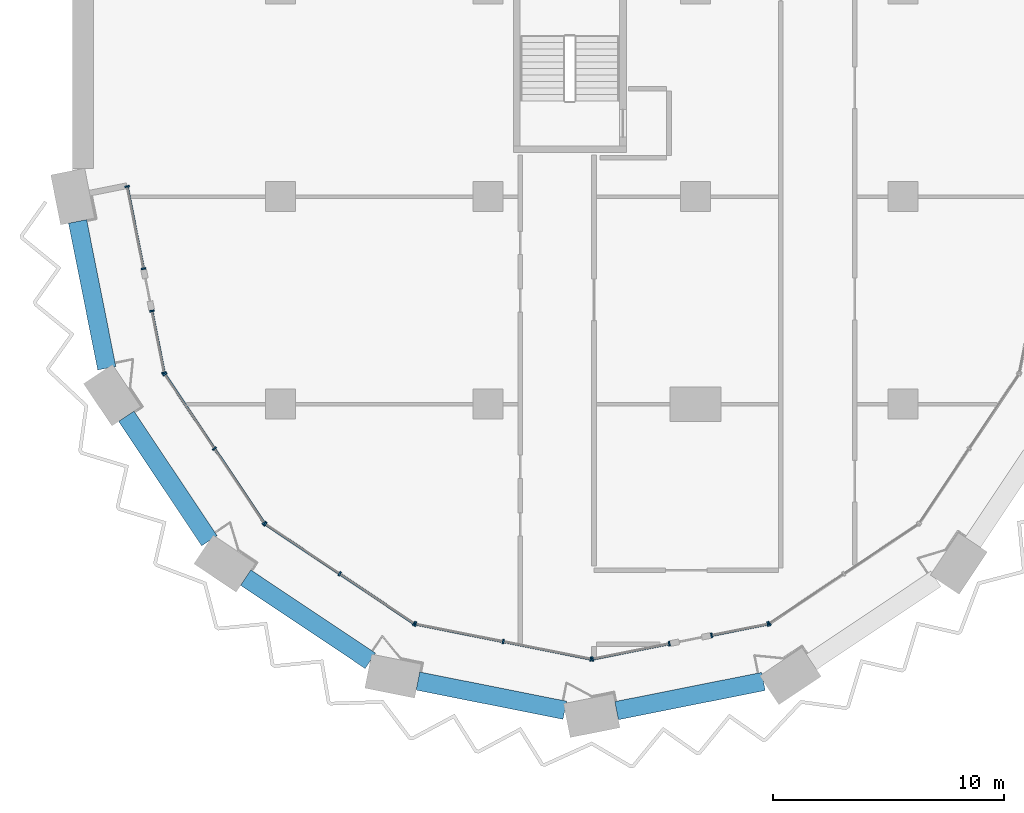
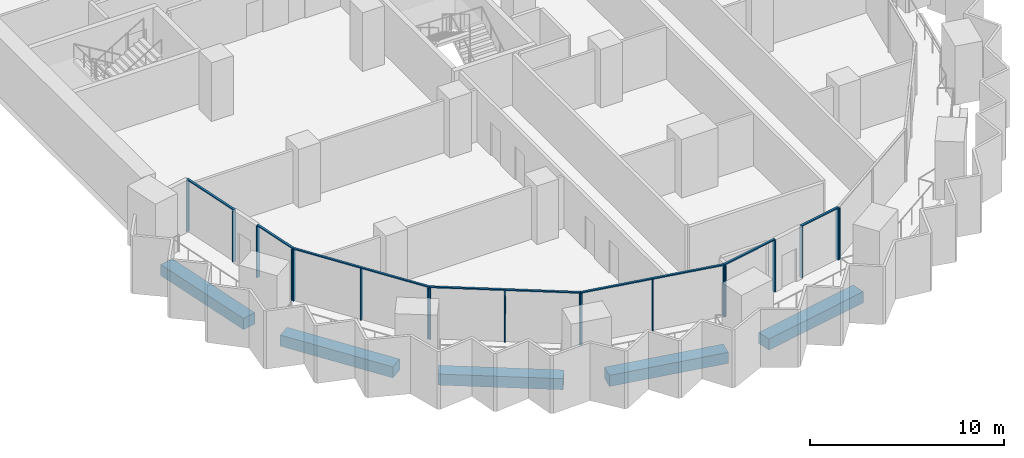
# One storey, part 2 of 22: 25 members, 5 beams, 8 elements without a shape of their own.
"""IFC4 building model written with IfcOpenShell, lengths in metres."""

from ifc_helpers import new_model, si_unit, direction, frame, origin, origin_2d, place, context, subcontext, project, spatial, rectangle, extrude, material, material_profile, profile_set, type_object, element, aggregate, save


model = new_model("IFC4")

# Units and contexts
model_context = context("Model", 3, precision=1e-05, world=origin(), true_north=direction((0.0, 1.0)))
body_context = subcontext(model_context, "Body", "Model", "MODEL_VIEW")
ifc_project = project(units=[si_unit("LENGTHUNIT", "METRE"), si_unit("AREAUNIT", "SQUARE_METRE"), si_unit("VOLUMEUNIT", "CUBIC_METRE"), si_unit("PLANEANGLEUNIT", "RADIAN"), si_unit("MASSUNIT", "GRAM", prefix="KILO")], contexts=[model_context])

# Site, building, storey
site_placement = place(None, origin())
site = spatial("IfcSite", under=ifc_project, at=site_placement, CompositionType="ELEMENT")
building_placement = place(site_placement, origin())
building = spatial("IfcBuilding", under=site, at=building_placement, Name="Hunhe Ridgeline Campus", CompositionType="ELEMENT")
storey_placement = place(building_placement, frame((0.0, 0.0, 92.199951171875)))
storey = spatial("IfcBuildingStorey", under=building, at=storey_placement, Name="L22", CompositionType="ELEMENT", Elevation=92.199951171875)

# Curtain wall, members
ifc_material_1 = material(Name="Aluminium 6063", Category="aluminium")
curtain_wall_type = type_object("IfcCurtainWallType", Name="Curtain wall CW-5", PredefinedType="NOTDEFINED", material=ifc_material_1)
curtain_wall_1_placement = place(storey_placement, origin())
curtain_wall_1 = element("IfcCurtainWall", 1, at=curtain_wall_1_placement, inside=storey, type_object=curtain_wall_type, Name="Curtain wall 01", PredefinedType="NOTDEFINED")
ifc_material_profile_1 = material_profile(ifc_material_1, rectangle(XDim=0.199951171875, YDim=0.070068359375, at=origin_2d()))
ifc_profile_set_1 = profile_set([ifc_material_profile_1], Name="Aluminium 6063")
member_type_1 = type_object("IfcMemberType", Name="CW-5 aluminium mullion", PredefinedType="MULLION", material=ifc_profile_set_1)
member_1_placement = place(storey_placement, frame((2.361572265625, 27.434326171875, 0.0), z_axis=(0.0, 0.0, 1.0), x_axis=(0.980784284924, 0.195095326561, 0.0)))
member_1 = element("IfcMember", 2, at=member_1_placement, type_object=member_type_1, Name="CW-5 mullion 1", PredefinedType="MULLION", context=body_context, shape_type="SweptSolid", body=[
    extrude(rectangle(XDim=0.199951171875, YDim=0.070068359375, at=origin_2d()), origin(), (0.0, 0.0, 1.0), 3.22998046875),
])
member_2_placement = place(storey_placement, frame((3.070068359375, 23.873291015625, 0.0), z_axis=(0.0, 0.0, 1.0), x_axis=(0.980784284924, 0.195095326561, 0.0)))
member_2 = element("IfcMember", 3, at=member_2_placement, type_object=member_type_1, Name="CW-5 mullion 2", PredefinedType="MULLION", context=body_context, shape_type="SweptSolid", body=[
    extrude(rectangle(XDim=0.199951171875, YDim=0.070068359375, at=origin_2d()), origin(), (0.0, 0.0, 1.0), 3.22998046875),
])

curtain_wall_2_placement = place(storey_placement, origin())
curtain_wall_2 = element("IfcCurtainWall", 4, at=curtain_wall_2_placement, inside=storey, type_object=curtain_wall_type, Name="Curtain wall 02", PredefinedType="NOTDEFINED")
member_3_placement = place(storey_placement, frame((3.434814453125, 22.0390625, 0.0), z_axis=(0.0, 0.0, 1.0), x_axis=(0.980784297053, 0.195095265587, 0.0)))
member_3 = element("IfcMember", 5, at=member_3_placement, type_object=member_type_1, Name="CW-5 mullion 1", PredefinedType="MULLION", context=body_context, shape_type="SweptSolid", body=[
    extrude(rectangle(XDim=0.199951171875, YDim=0.070068359375, at=origin_2d()), origin(), (0.0, 0.0, 1.0), 3.22998046875),
])
member_4_placement = place(storey_placement, frame((3.967529296875, 19.36083984375, 0.0), z_axis=(0.0, 0.0, 1.0), x_axis=(0.980784297053, 0.195095265587, 0.0)))
member_4 = element("IfcMember", 6, at=member_4_placement, type_object=member_type_1, Name="CW-5 mullion 2", PredefinedType="MULLION", context=body_context, shape_type="SweptSolid", body=[
    extrude(rectangle(XDim=0.199951171875, YDim=0.070068359375, at=origin_2d()), origin(), (0.0, 0.0, 1.0), 3.22998046875),
])

curtain_wall_3_placement = place(storey_placement, origin())
curtain_wall_3 = element("IfcCurtainWall", 7, at=curtain_wall_3_placement, inside=storey, type_object=curtain_wall_type, Name="Curtain wall 03", PredefinedType="NOTDEFINED")
member_5_placement = place(storey_placement, frame((3.993896484375, 19.29736328125, 0.0), z_axis=(0.0, 0.0, 1.0), x_axis=(0.831469584522, 0.555570274596, 0.0)))
member_5 = element("IfcMember", 8, at=member_5_placement, type_object=member_type_1, Name="CW-5 mullion 1", PredefinedType="MULLION", context=body_context, shape_type="SweptSolid", body=[
    extrude(rectangle(XDim=0.199951171875, YDim=0.070068359375, at=origin_2d()), origin(), (0.0, 0.0, 1.0), 3.22998046875),
])
member_6_placement = place(storey_placement, frame((6.147705078125, 16.07373046875, 0.0), z_axis=(0.0, 0.0, 1.0), x_axis=(0.831469584522, 0.555570274596, 0.0)))
member_6 = element("IfcMember", 9, at=member_6_placement, type_object=member_type_1, Name="CW-5 mullion 2", PredefinedType="MULLION", context=body_context, shape_type="SweptSolid", body=[
    extrude(rectangle(XDim=0.199951171875, YDim=0.070068359375, at=origin_2d()), origin(), (0.0, 0.0, 1.0), 3.22998046875),
])
member_7_placement = place(storey_placement, frame((8.3017578125, 12.850341796875, 0.0), z_axis=(0.0, 0.0, 1.0), x_axis=(0.831469584522, 0.555570274596, 0.0)))
member_7 = element("IfcMember", 10, at=member_7_placement, type_object=member_type_1, Name="CW-5 mullion 3", PredefinedType="MULLION", context=body_context, shape_type="SweptSolid", body=[
    extrude(rectangle(XDim=0.199951171875, YDim=0.070068359375, at=origin_2d()), origin(), (0.0, 0.0, 1.0), 3.22998046875),
])

curtain_wall_4_placement = place(storey_placement, origin())
curtain_wall_4 = element("IfcCurtainWall", 11, at=curtain_wall_4_placement, inside=storey, type_object=curtain_wall_type, Name="Curtain wall 04", PredefinedType="NOTDEFINED")
member_8_placement = place(storey_placement, frame((8.350341796875, 12.8017578125, 0.0), z_axis=(0.0, 0.0, 1.0), x_axis=(0.555570274596, 0.831469584522, 0.0)))
member_8 = element("IfcMember", 12, at=member_8_placement, type_object=member_type_1, Name="CW-5 mullion 1", PredefinedType="MULLION", context=body_context, shape_type="SweptSolid", body=[
    extrude(rectangle(XDim=0.199951171875, YDim=0.070068359375, at=origin_2d()), origin(), (0.0, 0.0, 1.0), 3.22998046875),
])
member_9_placement = place(storey_placement, frame((11.57373046875, 10.647705078125, 0.0), z_axis=(0.0, 0.0, 1.0), x_axis=(0.555570274596, 0.831469584522, 0.0)))
member_9 = element("IfcMember", 13, at=member_9_placement, type_object=member_type_1, Name="CW-5 mullion 2", PredefinedType="MULLION", context=body_context, shape_type="SweptSolid", body=[
    extrude(rectangle(XDim=0.199951171875, YDim=0.070068359375, at=origin_2d()), origin(), (0.0, 0.0, 1.0), 3.22998046875),
])
member_10_placement = place(storey_placement, frame((14.79736328125, 8.493896484375, 0.0), z_axis=(0.0, 0.0, 1.0), x_axis=(0.555570274596, 0.831469584522, 0.0)))
member_10 = element("IfcMember", 14, at=member_10_placement, type_object=member_type_1, Name="CW-5 mullion 3", PredefinedType="MULLION", context=body_context, shape_type="SweptSolid", body=[
    extrude(rectangle(XDim=0.199951171875, YDim=0.070068359375, at=origin_2d()), origin(), (0.0, 0.0, 1.0), 3.22998046875),
])

curtain_wall_5_placement = place(storey_placement, origin())
curtain_wall_5 = element("IfcCurtainWall", 15, at=curtain_wall_5_placement, inside=storey, type_object=curtain_wall_type, Name="Curtain wall 05", PredefinedType="NOTDEFINED")
member_11_placement = place(storey_placement, frame((14.86083984375, 8.467529296875, 0.0), z_axis=(0.0, 0.0, 1.0), x_axis=(0.195090347539, 0.980785275326, 0.0)))
member_11 = element("IfcMember", 16, at=member_11_placement, type_object=member_type_1, Name="CW-5 mullion 1", PredefinedType="MULLION", context=body_context, shape_type="SweptSolid", body=[
    extrude(rectangle(XDim=0.199951171875, YDim=0.070068359375, at=origin_2d()), origin(), (0.0, 0.0, 1.0), 3.22998046875),
])
member_12_placement = place(storey_placement, frame((18.663330078125, 7.711181640625, 0.0), z_axis=(0.0, 0.0, 1.0), x_axis=(0.195090347539, 0.980785275326, 0.0)))
member_12 = element("IfcMember", 17, at=member_12_placement, type_object=member_type_1, Name="CW-5 mullion 2", PredefinedType="MULLION", context=body_context, shape_type="SweptSolid", body=[
    extrude(rectangle(XDim=0.199951171875, YDim=0.070068359375, at=origin_2d()), origin(), (0.0, 0.0, 1.0), 3.22998046875),
])
member_13_placement = place(storey_placement, frame((22.465576171875, 6.954833984375, 0.0), z_axis=(0.0, 0.0, 1.0), x_axis=(0.195090347539, 0.980785275326, 0.0)))
member_13 = element("IfcMember", 18, at=member_13_placement, type_object=member_type_1, Name="CW-5 mullion 3", PredefinedType="MULLION", context=body_context, shape_type="SweptSolid", body=[
    extrude(rectangle(XDim=0.199951171875, YDim=0.070068359375, at=origin_2d()), origin(), (0.0, 0.0, 1.0), 3.22998046875),
])

curtain_wall_6_placement = place(storey_placement, origin())
curtain_wall_6 = element("IfcCurtainWall", 19, at=curtain_wall_6_placement, inside=storey, type_object=curtain_wall_type, Name="Curtain wall 06", PredefinedType="NOTDEFINED")
member_14_placement = place(storey_placement, frame((22.534423828125, 6.954833984375, 0.0), z_axis=(0.0, 0.0, 1.0), x_axis=(-0.19509037034, 0.980785270791, 0.0)))
member_14 = element("IfcMember", 20, at=member_14_placement, type_object=member_type_1, Name="CW-5 mullion 1", PredefinedType="MULLION", context=body_context, shape_type="SweptSolid", body=[
    extrude(rectangle(XDim=0.199951171875, YDim=0.070068359375, at=origin_2d()), origin(), (0.0, 0.0, 1.0), 3.22998046875),
])
member_15_placement = place(storey_placement, frame((25.861083984375, 7.61669921875, 0.0), z_axis=(0.0, 0.0, 1.0), x_axis=(-0.19509037034, 0.980785270791, 0.0)))
member_15 = element("IfcMember", 21, at=member_15_placement, type_object=member_type_1, Name="CW-5 mullion 2", PredefinedType="MULLION", context=body_context, shape_type="SweptSolid", body=[
    extrude(rectangle(XDim=0.199951171875, YDim=0.070068359375, at=origin_2d()), origin(), (0.0, 0.0, 1.0), 3.22998046875),
])

curtain_wall_7_placement = place(storey_placement, origin())
curtain_wall_7 = element("IfcCurtainWall", 22, at=curtain_wall_7_placement, inside=storey, type_object=curtain_wall_type, Name="Curtain wall 07", PredefinedType="NOTDEFINED")
member_16_placement = place(storey_placement, frame((27.695068359375, 7.9814453125, 0.0), z_axis=(0.0, 0.0, 1.0), x_axis=(-0.195090514627, 0.980785242091, 0.0)))
member_16 = element("IfcMember", 23, at=member_16_placement, type_object=member_type_1, Name="CW-5 mullion 1", PredefinedType="MULLION", context=body_context, shape_type="SweptSolid", body=[
    extrude(rectangle(XDim=0.199951171875, YDim=0.070068359375, at=origin_2d()), origin(), (0.0, 0.0, 1.0), 3.22998046875),
])
member_17_placement = place(storey_placement, frame((30.13916015625, 8.467529296875, 0.0), z_axis=(0.0, 0.0, 1.0), x_axis=(-0.195090514627, 0.980785242091, 0.0)))
member_17 = element("IfcMember", 24, at=member_17_placement, type_object=member_type_1, Name="CW-5 mullion 2", PredefinedType="MULLION", context=body_context, shape_type="SweptSolid", body=[
    extrude(rectangle(XDim=0.199951171875, YDim=0.070068359375, at=origin_2d()), origin(), (0.0, 0.0, 1.0), 3.22998046875),
])

# Curtain wall, member
curtain_wall_8_placement = place(storey_placement, origin())
curtain_wall_8 = element("IfcCurtainWall", 25, at=curtain_wall_8_placement, inside=storey, type_object=curtain_wall_type, Name="Curtain wall 08", PredefinedType="NOTDEFINED")
member_18_placement = place(storey_placement, frame((30.20263671875, 8.493896484375, 0.0), z_axis=(0.0, 0.0, 1.0), x_axis=(-0.555570274596, 0.831469584522, 0.0)))
member_18 = element("IfcMember", 26, at=member_18_placement, type_object=member_type_1, Name="CW-5 mullion 1", PredefinedType="MULLION", context=body_context, shape_type="SweptSolid", body=[
    extrude(rectangle(XDim=0.199951171875, YDim=0.070068359375, at=origin_2d()), origin(), (0.0, 0.0, 1.0), 3.22998046875),
])
aggregate(curtain_wall_8, [member_18])

# Member
ifc_material_profile_2 = material_profile(ifc_material_1, rectangle(XDim=0.1201171875, YDim=0.070068359375, at=origin_2d()))
ifc_profile_set_2 = profile_set([ifc_material_profile_2], Name="Aluminium 6063")
member_type_2 = type_object("IfcMemberType", Name="CW-5 aluminium transom", PredefinedType="USERDEFINED", material=ifc_profile_set_2)
member_19_placement = place(storey_placement, frame((2.354736328125, 27.46875, 3.26513671875), z_axis=(0.195126549745, -0.980778073564, 0.0), x_axis=(0.980778073564, 0.195126549745, 0.0)))
member_19 = element("IfcMember", 27, at=member_19_placement, type_object=member_type_2, Name="CW-5 transom 1", ObjectType="TRANSOM", PredefinedType="USERDEFINED", context=body_context, shape_type="SweptSolid", body=[
    extrude(rectangle(XDim=0.1201171875, YDim=0.070068359375, at=origin_2d()), origin(), (0.0, 0.0, 1.0), 3.700927734375),
])

aggregate(curtain_wall_1, [member_19, member_1, member_2])

member_20_placement = place(storey_placement, frame((3.427978515625, 22.073486328125, 3.26513671875), z_axis=(0.195076742145, -0.98078798151, 0.0), x_axis=(0.98078798151, 0.195076742145, 0.0)))
member_20 = element("IfcMember", 28, at=member_20_placement, type_object=member_type_2, Name="CW-5 transom 1", ObjectType="TRANSOM", PredefinedType="USERDEFINED", context=body_context, shape_type="SweptSolid", body=[
    extrude(rectangle(XDim=0.1201171875, YDim=0.070068359375, at=origin_2d()), origin(), (0.0, 0.0, 1.0), 2.80078125),
])

aggregate(curtain_wall_2, [member_20, member_3, member_4])

member_21_placement = place(storey_placement, frame((3.974365234375, 19.326416015625, 3.26513671875), z_axis=(0.5555640203, -0.831473763475, 0.0), x_axis=(0.831473763475, 0.5555640203, 0.0)))
member_21 = element("IfcMember", 29, at=member_21_placement, type_object=member_type_2, Name="CW-5 transom 1", ObjectType="TRANSOM", PredefinedType="USERDEFINED", context=body_context, shape_type="SweptSolid", body=[
    extrude(rectangle(XDim=0.1201171875, YDim=0.070068359375, at=origin_2d()), origin(), (0.0, 0.0, 1.0), 7.823974609375),
])

aggregate(curtain_wall_3, [member_21, member_5, member_6, member_7])

member_22_placement = place(storey_placement, frame((8.321044921875, 12.821044921875, 3.26513671875), z_axis=(0.831473763475, -0.5555640203, 0.0), x_axis=(0.5555640203, 0.831473763475, 0.0)))
member_22 = element("IfcMember", 30, at=member_22_placement, type_object=member_type_2, Name="CW-5 transom 1", ObjectType="TRANSOM", PredefinedType="USERDEFINED", context=body_context, shape_type="SweptSolid", body=[
    extrude(rectangle(XDim=0.1201171875, YDim=0.070068359375, at=origin_2d()), origin(), (0.0, 0.0, 1.0), 7.823974609375),
])

aggregate(curtain_wall_4, [member_22, member_8, member_9, member_10])

member_23_placement = place(storey_placement, frame((14.826416015625, 8.474365234375, 3.26513671875), z_axis=(0.980785367689, -0.195089883198, 0.0), x_axis=(0.195089883198, 0.980785367689, 0.0)))
member_23 = element("IfcMember", 31, at=member_23_placement, type_object=member_type_2, Name="CW-5 transom 1", ObjectType="TRANSOM", PredefinedType="USERDEFINED", context=body_context, shape_type="SweptSolid", body=[
    extrude(rectangle(XDim=0.1201171875, YDim=0.070068359375, at=origin_2d()), origin(), (0.0, 0.0, 1.0), 7.823974609375),
])

aggregate(curtain_wall_5, [member_23, member_11, member_12, member_13])

member_24_placement = place(storey_placement, frame((22.5, 6.947998046875, 3.26513671875), z_axis=(0.980778171596, 0.195126057004, 0.0), x_axis=(-0.195126057004, 0.980778171596, 0.0)))
member_24 = element("IfcMember", 32, at=member_24_placement, type_object=member_type_2, Name="CW-5 transom 1", ObjectType="TRANSOM", PredefinedType="USERDEFINED", context=body_context, shape_type="SweptSolid", body=[
    extrude(rectangle(XDim=0.1201171875, YDim=0.070068359375, at=origin_2d()), origin(), (0.0, 0.0, 1.0), 3.462158203125),
])

aggregate(curtain_wall_6, [member_24, member_14, member_15])

member_25_placement = place(storey_placement, frame((27.660888671875, 7.974609375, 3.26513671875), z_axis=(0.980789038007, 0.195071430315, 0.0), x_axis=(-0.195071430315, 0.980789038007, 0.0)))
member_25 = element("IfcMember", 33, at=member_25_placement, type_object=member_type_2, Name="CW-5 transom 1", ObjectType="TRANSOM", PredefinedType="USERDEFINED", context=body_context, shape_type="SweptSolid", body=[
    extrude(rectangle(XDim=0.1201171875, YDim=0.070068359375, at=origin_2d()), origin(), (0.0, 0.0, 1.0), 2.56201171875),
])

aggregate(curtain_wall_7, [member_25, member_16, member_17])

# Beams
ifc_material_2 = material(Name="Concrete C60", Category="concrete")
ifc_material_profile_3 = material_profile(ifc_material_2, rectangle(XDim=0.800048828125, YDim=0.699951171875, at=origin_2d()))
ifc_profile_set_3 = profile_set([ifc_material_profile_3], Name="Concrete C60")
beam_type = type_object("IfcBeamType", Name="RC spandrel beam 800x700 Concrete C60", PredefinedType="SPANDREL", material=ifc_profile_set_3)
for number, where, z_axis, x_axis, name in (
    (34, (0.214599609375, 25.921142578125, -0.599853515625), (0.195095759636, -0.980784198778, 0.0), (0.980784198778, 0.195095759636, 0.0), "Spandrel beam B1-1 L22"),
    (35, (2.32373046875, 17.47509765625, -0.599853515625), (0.555585540178, -0.831459384183, 0.0), (0.831459384183, 0.555585540178, 0.0), "Spandrel beam B1-2 L22"),
    (36, (7.504638671875, 10.47900390625, -0.599853515625), (0.831476765351, -0.555559527577, 0.0), (0.555559527577, 0.831476765351, 0.0), "Spandrel beam B1-3 L22"),
    (37, (14.968505859375, 5.998046875, -0.599853515625), (0.980784198778, -0.195095759636, 0.0), (0.195095759636, 0.980784198778, 0.0), "Spandrel beam B1-4 L22"),
    (38, (23.578857421875, 4.714599609375, -0.599853515625), (0.980784198778, 0.195095759636, 0.0), (-0.195095759636, 0.980784198778, 0.0), "Spandrel beam B1-5 L22"),
):
    element("IfcBeam", number, at=place(storey_placement, frame(where, z_axis=z_axis, x_axis=x_axis)), inside=storey, type_object=beam_type, Name=name, PredefinedType="SPANDREL", context=body_context, shape_type="SweptSolid", body=[
        extrude(rectangle(XDim=0.800048828125, YDim=0.699951171875, at=origin_2d()), origin(), (0.0, 0.0, 1.0), 6.488525390625),
    ])

save(model, "model.ifc")
